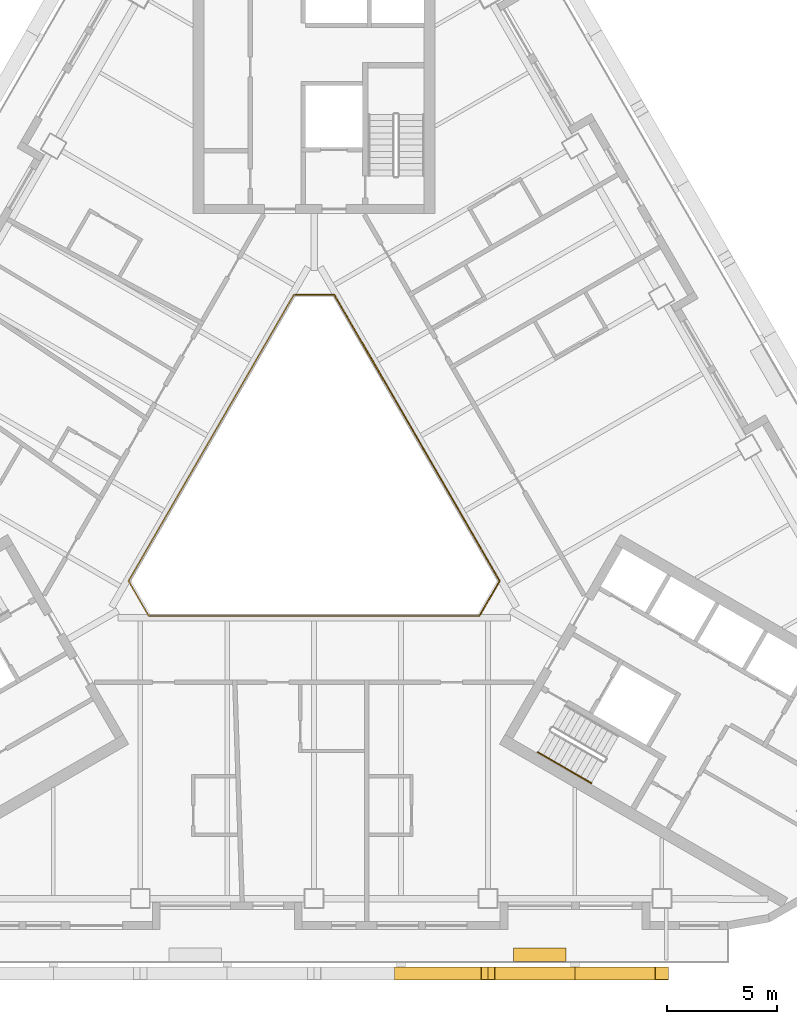
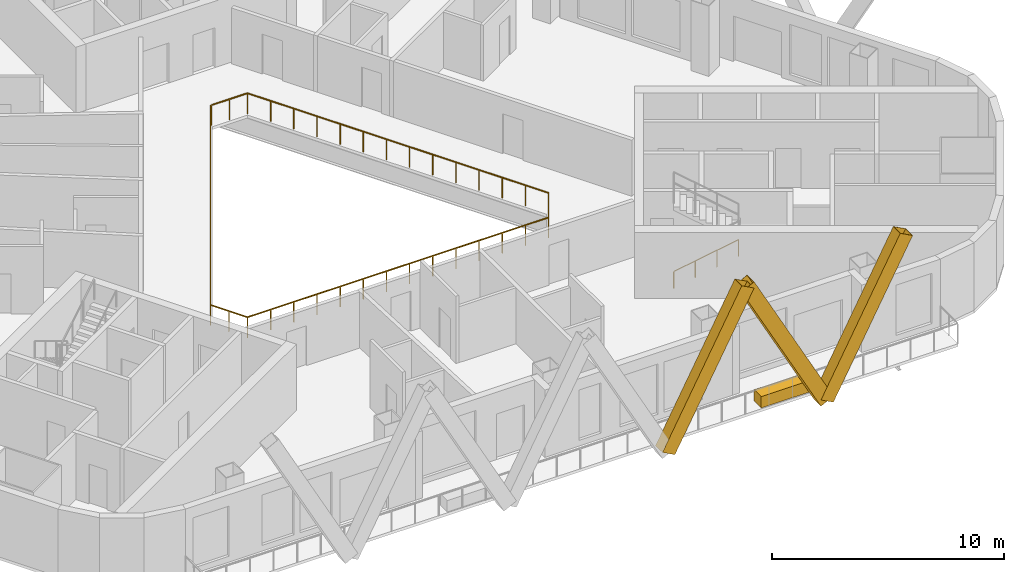
# One storey, part 11 of 14: 3 railings, 3 shading devices, 1 covering.
"""IFC4 building model written with IfcOpenShell, lengths in metres."""

from ifc_helpers import new_model, si_unit, direction, frame, origin, origin_2d, place, context, subcontext, project, spatial, rectangle, hollow_rectangle, circle, extrude, material, material_profile, profile_set, type_object, element, save


model = new_model("IFC4")

# Units and contexts
model_context = context("Model", 3, precision=1e-05, world=origin(), true_north=direction((0.0, 1.0)))
body_context = subcontext(model_context, "Body", "Model", "MODEL_VIEW")
ifc_project = project(units=[si_unit("LENGTHUNIT", "METRE"), si_unit("AREAUNIT", "SQUARE_METRE"), si_unit("VOLUMEUNIT", "CUBIC_METRE"), si_unit("PLANEANGLEUNIT", "RADIAN"), si_unit("MASSUNIT", "GRAM", prefix="KILO")], contexts=[model_context])

# Site, building, storey
site_placement = place(None, origin())
site = spatial("IfcSite", under=ifc_project, at=site_placement, CompositionType="ELEMENT")
building_placement = place(site_placement, origin())
building = spatial("IfcBuilding", under=site, at=building_placement, Name="Apuvela Tower Hotel", CompositionType="ELEMENT")
storey_placement = place(building_placement, frame((0.0, 0.0, 98.300048828125)))
storey = spatial("IfcBuildingStorey", under=building, at=storey_placement, Name="L22", CompositionType="ELEMENT", Elevation=98.300048828125)

# Railing
ifc_material_1 = material(Name="Stainless steel 316 handrail", Category="steel")
railing_type_1 = type_object("IfcRailingType", Name="COR-HANDRAIL-900", PredefinedType="HANDRAIL", material=ifc_material_1)
railing_1_placement = place(storey_placement, frame((10.1689453125, -11.5869140625, 0.168212890625)))
element("IfcRailing", 1, at=railing_1_placement, inside=storey, type_object=railing_type_1, Name="L22 ST3 stair handrail 1", PredefinedType="HANDRAIL", context=body_context, shape_type="SweptSolid", body=[
    extrude(circle(Radius=0.02392578125, at=origin_2d()), frame((0.0, 0.0, 0.8759765625), z_axis=(0.74241905619, -0.428617687091, 0.514879426), x_axis=(0.49998411664, 0.866034573852, 0.0)), (0.0, 0.0, 1.0), 3.26611328125),
    extrude(rectangle(XDim=0.0419921875, YDim=0.0419921875, at=origin_2d()), origin(), (0.0, 0.0, 1.0), 0.851806640625),
    extrude(rectangle(XDim=0.0419921875, YDim=0.0419921875, at=origin_2d()), frame((0.808349609375, -0.466552734375, 0.560546875)), (0.0, 0.0, 1.0), 0.851806640625),
    extrude(rectangle(XDim=0.0419921875, YDim=0.0419921875, at=origin_2d()), frame((1.616455078125, -0.933349609375, 1.12109375)), (0.0, 0.0, 1.0), 0.851806640625),
    extrude(rectangle(XDim=0.0419921875, YDim=0.0419921875, at=origin_2d()), frame((2.4248046875, -1.39990234375, 1.681640625)), (0.0, 0.0, 1.0), 0.851806640625),
])

# Shading devices
ifc_material_2 = material(Name="Aluminium 6063-T6, black anodised", Category="aluminium")
ifc_material_profile = material_profile(ifc_material_2, hollow_rectangle(XDim=0.60009765625, YDim=0.699951171875, WallThickness=0.011962890625, at=origin_2d()), Name="AL BOX 700x600x12")
ifc_profile_set = profile_set([ifc_material_profile], Name="Aluminium 6063-T6, black anodised")
shading_device_type = type_object("IfcShadingDeviceType", Name="ENV-FIN-700x600", PredefinedType="USERDEFINED", material=ifc_profile_set)
for number, where, z_axis, x_axis, name in (
    (2, (3.949951171875, -21.6298828125, -0.10009765625), (0.470885802113, 0.0, 0.882194174413), (0.0, 1.0, 0.0), "Lattice fin S158"),
    (3, (11.85009765625, -21.6298828125, -0.10009765625), (-0.470908452903, 0.0, 0.882182083804), (0.0, -1.0, 0.0), "Lattice fin S159"),
    (4, (11.85009765625, -21.6298828125, -0.10009765625), (0.470885802113, 0.0, 0.882194174413), (0.0, 1.0, 0.0), "Lattice fin S160"),
):
    element("IfcShadingDevice", number, at=place(storey_placement, frame(where, z_axis=z_axis, x_axis=x_axis)), inside=storey, type_object=shading_device_type, Name=name, ObjectType="FIN", PredefinedType="USERDEFINED", context=body_context, shape_type="SweptSolid", body=[
        extrude(hollow_rectangle(XDim=0.60009765625, YDim=0.699951171875, WallThickness=0.011962890625, at=origin_2d()), origin(), (0.0, 0.0, 1.0), 8.388427734375),
    ])

# Railings
ifc_material_3 = material(Name="Stainless steel 316 rail with laminated glass infill", Category="steel")
railing_type_2 = type_object("IfcRailingType", Name="ENV-GUARD-1100", PredefinedType="GUARDRAIL", material=ifc_material_3)
railing_2_placement = place(storey_placement, frame((-0.923828125, 9.199951171875, 0.0)))
element("IfcRailing", 5, at=railing_2_placement, inside=storey, type_object=railing_type_2, Name="Atrium void guard A L22", PredefinedType="GUARDRAIL", context=body_context, shape_type="SweptSolid", body=[
    extrude(rectangle(XDim=0.050048828125, YDim=0.050048828125, at=origin_2d()), frame((0.0, 0.0, 1.0751953125), z_axis=(-0.499990886379, -0.866030665472, 0.0), x_axis=(0.866030665472, -0.499990886379, 0.0)), (0.0, 0.0, 1.0), 15.010986328125),
    extrude(rectangle(XDim=0.050048828125, YDim=0.050048828125, at=origin_2d()), frame((-7.50537109375, -13.0, 1.0751953125), z_axis=(0.499962699187, -0.866046938348, 0.0), x_axis=(0.866046938348, 0.499962699187, 0.0)), (0.0, 0.0, 1.0), 1.847412109375),
    extrude(rectangle(XDim=0.050048828125, YDim=0.050048828125, at=origin_2d()), frame((-6.581787109375, -14.599853515625, 1.0751953125), z_axis=(1.0, 0.0, 0.0), x_axis=(0.0, 1.0, 0.0)), (0.0, 0.0, 1.0), 15.01123046875),
    extrude(rectangle(XDim=0.0400390625, YDim=0.0400390625, at=origin_2d()), origin(), (0.0, 0.0, 1.0), 1.050048828125),
    extrude(rectangle(XDim=0.0400390625, YDim=0.0400390625, at=origin_2d()), frame((-0.577392578125, -1.0, 0.0)), (0.0, 0.0, 1.0), 1.050048828125),
    extrude(rectangle(XDim=0.0400390625, YDim=0.0400390625, at=origin_2d()), frame((-1.15478515625, -2.0, 0.0)), (0.0, 0.0, 1.0), 1.050048828125),
    extrude(rectangle(XDim=0.0400390625, YDim=0.0400390625, at=origin_2d()), frame((-1.73193359375, -3.0, 0.0)), (0.0, 0.0, 1.0), 1.050048828125),
    extrude(rectangle(XDim=0.0400390625, YDim=0.0400390625, at=origin_2d()), frame((-2.309326171875, -4.0, 0.0)), (0.0, 0.0, 1.0), 1.050048828125),
    extrude(rectangle(XDim=0.0400390625, YDim=0.0400390625, at=origin_2d()), frame((-2.88671875, -5.0, 0.0)), (0.0, 0.0, 1.0), 1.050048828125),
    extrude(rectangle(XDim=0.0400390625, YDim=0.0400390625, at=origin_2d()), frame((-3.464111328125, -6.0, 0.0)), (0.0, 0.0, 1.0), 1.050048828125),
    extrude(rectangle(XDim=0.0400390625, YDim=0.0400390625, at=origin_2d()), frame((-4.041259765625, -7.0, 0.0)), (0.0, 0.0, 1.0), 1.050048828125),
    extrude(rectangle(XDim=0.0400390625, YDim=0.0400390625, at=origin_2d()), frame((-4.61865234375, -8.0, 0.0)), (0.0, 0.0, 1.0), 1.050048828125),
    extrude(rectangle(XDim=0.0400390625, YDim=0.0400390625, at=origin_2d()), frame((-5.196044921875, -9.0, 0.0)), (0.0, 0.0, 1.0), 1.050048828125),
    extrude(rectangle(XDim=0.0400390625, YDim=0.0400390625, at=origin_2d()), frame((-5.7734375, -10.0, 0.0)), (0.0, 0.0, 1.0), 1.050048828125),
    extrude(rectangle(XDim=0.0400390625, YDim=0.0400390625, at=origin_2d()), frame((-6.3505859375, -11.0, 0.0)), (0.0, 0.0, 1.0), 1.050048828125),
    extrude(rectangle(XDim=0.0400390625, YDim=0.0400390625, at=origin_2d()), frame((-6.927978515625, -12.0, 0.0)), (0.0, 0.0, 1.0), 1.050048828125),
    extrude(rectangle(XDim=0.0400390625, YDim=0.0400390625, at=origin_2d()), frame((-7.50537109375, -13.0, 0.0)), (0.0, 0.0, 1.0), 1.050048828125),
    extrude(rectangle(XDim=0.0400390625, YDim=0.0400390625, at=origin_2d()), frame((-7.04345703125, -13.7998046875, 0.0)), (0.0, 0.0, 1.0), 1.050048828125),
    extrude(rectangle(XDim=0.0400390625, YDim=0.0400390625, at=origin_2d()), frame((-6.581787109375, -14.599853515625, 0.0)), (0.0, 0.0, 1.0), 1.050048828125),
    extrude(rectangle(XDim=0.0400390625, YDim=0.0400390625, at=origin_2d()), frame((-5.427001953125, -14.599853515625, 0.0)), (0.0, 0.0, 1.0), 1.050048828125),
    extrude(rectangle(XDim=0.0400390625, YDim=0.0400390625, at=origin_2d()), frame((-4.2724609375, -14.599853515625, 0.0)), (0.0, 0.0, 1.0), 1.050048828125),
    extrude(rectangle(XDim=0.0400390625, YDim=0.0400390625, at=origin_2d()), frame((-3.11767578125, -14.599853515625, 0.0)), (0.0, 0.0, 1.0), 1.050048828125),
    extrude(rectangle(XDim=0.0400390625, YDim=0.0400390625, at=origin_2d()), frame((-1.962890625, -14.599853515625, 0.0)), (0.0, 0.0, 1.0), 1.050048828125),
    extrude(rectangle(XDim=0.0400390625, YDim=0.0400390625, at=origin_2d()), frame((-0.808349609375, -14.599853515625, 0.0)), (0.0, 0.0, 1.0), 1.050048828125),
    extrude(rectangle(XDim=0.0400390625, YDim=0.0400390625, at=origin_2d()), frame((0.346435546875, -14.599853515625, 0.0)), (0.0, 0.0, 1.0), 1.050048828125),
    extrude(rectangle(XDim=0.0400390625, YDim=0.0400390625, at=origin_2d()), frame((1.501220703125, -14.599853515625, 0.0)), (0.0, 0.0, 1.0), 1.050048828125),
    extrude(rectangle(XDim=0.0400390625, YDim=0.0400390625, at=origin_2d()), frame((2.656005859375, -14.599853515625, 0.0)), (0.0, 0.0, 1.0), 1.050048828125),
    extrude(rectangle(XDim=0.0400390625, YDim=0.0400390625, at=origin_2d()), frame((3.810546875, -14.599853515625, 0.0)), (0.0, 0.0, 1.0), 1.050048828125),
    extrude(rectangle(XDim=0.0400390625, YDim=0.0400390625, at=origin_2d()), frame((4.96533203125, -14.599853515625, 0.0)), (0.0, 0.0, 1.0), 1.050048828125),
    extrude(rectangle(XDim=0.0400390625, YDim=0.0400390625, at=origin_2d()), frame((6.1201171875, -14.599853515625, 0.0)), (0.0, 0.0, 1.0), 1.050048828125),
    extrude(rectangle(XDim=0.0400390625, YDim=0.0400390625, at=origin_2d()), frame((7.274658203125, -14.599853515625, 0.0)), (0.0, 0.0, 1.0), 1.050048828125),
    extrude(rectangle(XDim=0.0400390625, YDim=0.0400390625, at=origin_2d()), frame((8.429443359375, -14.599853515625, 0.0)), (0.0, 0.0, 1.0), 1.050048828125),
])
railing_3_placement = place(storey_placement, frame((7.53564453125, -5.347900390625, 0.0)))
element("IfcRailing", 6, at=railing_3_placement, inside=storey, type_object=railing_type_2, Name="Atrium void guard B L22", PredefinedType="GUARDRAIL", context=body_context, shape_type="SweptSolid", body=[
    extrude(rectangle(XDim=0.050048828125, YDim=0.050048828125, at=origin_2d()), frame((0.0, 0.0, 1.0751953125), z_axis=(0.499958946799, 0.866049104564, 0.0), x_axis=(-0.866049104564, 0.499958946799, 0.0)), (0.0, 0.0, 1.0), 1.787353515625),
    extrude(rectangle(XDim=0.050048828125, YDim=0.050048828125, at=origin_2d()), frame((0.8935546875, 1.5478515625, 1.0751953125), z_axis=(-0.499990886379, 0.866030665472, 0.0), x_axis=(-0.866030665472, -0.499990886379, 0.0)), (0.0, 0.0, 1.0), 15.010986328125),
    extrude(rectangle(XDim=0.050048828125, YDim=0.050048828125, at=origin_2d()), frame((-6.61181640625, 14.5478515625, 1.0751953125), z_axis=(-1.0, 0.0, 0.0), x_axis=(0.0, -1.0, 0.0)), (0.0, 0.0, 1.0), 1.78759765625),
    extrude(rectangle(XDim=0.0400390625, YDim=0.0400390625, at=origin_2d()), origin(), (0.0, 0.0, 1.0), 1.050048828125),
    extrude(rectangle(XDim=0.0400390625, YDim=0.0400390625, at=origin_2d()), frame((0.44677734375, 0.77392578125, 0.0)), (0.0, 0.0, 1.0), 1.050048828125),
    extrude(rectangle(XDim=0.0400390625, YDim=0.0400390625, at=origin_2d()), frame((0.8935546875, 1.5478515625, 0.0)), (0.0, 0.0, 1.0), 1.050048828125),
    extrude(rectangle(XDim=0.0400390625, YDim=0.0400390625, at=origin_2d()), frame((0.316162109375, 2.5478515625, 0.0)), (0.0, 0.0, 1.0), 1.050048828125),
    extrude(rectangle(XDim=0.0400390625, YDim=0.0400390625, at=origin_2d()), frame((-0.26123046875, 3.5478515625, 0.0)), (0.0, 0.0, 1.0), 1.050048828125),
    extrude(rectangle(XDim=0.0400390625, YDim=0.0400390625, at=origin_2d()), frame((-0.83837890625, 4.5478515625, 0.0)), (0.0, 0.0, 1.0), 1.050048828125),
    extrude(rectangle(XDim=0.0400390625, YDim=0.0400390625, at=origin_2d()), frame((-1.415771484375, 5.5478515625, 0.0)), (0.0, 0.0, 1.0), 1.050048828125),
    extrude(rectangle(XDim=0.0400390625, YDim=0.0400390625, at=origin_2d()), frame((-1.9931640625, 6.5478515625, 0.0)), (0.0, 0.0, 1.0), 1.050048828125),
    extrude(rectangle(XDim=0.0400390625, YDim=0.0400390625, at=origin_2d()), frame((-2.570556640625, 7.5478515625, 0.0)), (0.0, 0.0, 1.0), 1.050048828125),
    extrude(rectangle(XDim=0.0400390625, YDim=0.0400390625, at=origin_2d()), frame((-3.147705078125, 8.5478515625, 0.0)), (0.0, 0.0, 1.0), 1.050048828125),
    extrude(rectangle(XDim=0.0400390625, YDim=0.0400390625, at=origin_2d()), frame((-3.72509765625, 9.5478515625, 0.0)), (0.0, 0.0, 1.0), 1.050048828125),
    extrude(rectangle(XDim=0.0400390625, YDim=0.0400390625, at=origin_2d()), frame((-4.302490234375, 10.5478515625, 0.0)), (0.0, 0.0, 1.0), 1.050048828125),
    extrude(rectangle(XDim=0.0400390625, YDim=0.0400390625, at=origin_2d()), frame((-4.8798828125, 11.5478515625, 0.0)), (0.0, 0.0, 1.0), 1.050048828125),
    extrude(rectangle(XDim=0.0400390625, YDim=0.0400390625, at=origin_2d()), frame((-5.45703125, 12.5478515625, 0.0)), (0.0, 0.0, 1.0), 1.050048828125),
    extrude(rectangle(XDim=0.0400390625, YDim=0.0400390625, at=origin_2d()), frame((-6.034423828125, 13.5478515625, 0.0)), (0.0, 0.0, 1.0), 1.050048828125),
    extrude(rectangle(XDim=0.0400390625, YDim=0.0400390625, at=origin_2d()), frame((-6.61181640625, 14.5478515625, 0.0)), (0.0, 0.0, 1.0), 1.050048828125),
    extrude(rectangle(XDim=0.0400390625, YDim=0.0400390625, at=origin_2d()), frame((-7.505615234375, 14.5478515625, 0.0)), (0.0, 0.0, 1.0), 1.050048828125),
    extrude(rectangle(XDim=0.0400390625, YDim=0.0400390625, at=origin_2d()), frame((-8.3994140625, 14.5478515625, 0.0)), (0.0, 0.0, 1.0), 1.050048828125),
])

# Covering
ifc_material_4 = material(Name="Planting substrate and soil, planted")
covering_type = type_object("IfcCoveringType", Name="ENV-PLANTER-2400x600", PredefinedType="USERDEFINED", material=ifc_material_4)
covering_placement = place(storey_placement, frame((10.250244140625, -20.780029296875, 0.0), z_axis=(0.0, 0.0, 1.0), x_axis=(1.0, 0.0, 0.0)))
element("IfcCovering", 7, at=covering_placement, inside=storey, type_object=covering_type, Name="Planter S2", ObjectType="PLANTER", PredefinedType="USERDEFINED", context=body_context, shape_type="SweptSolid", body=[
    extrude(rectangle(XDim=2.39990234375, YDim=0.60009765625, at=origin_2d()), origin(), (0.0, 0.0, 1.0), 0.60009765625),
])

save(model, "model.ifc")
